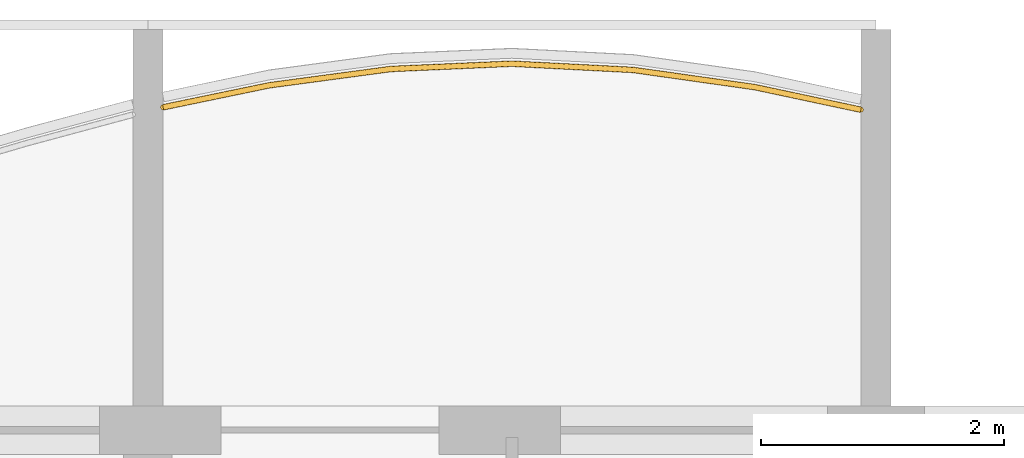
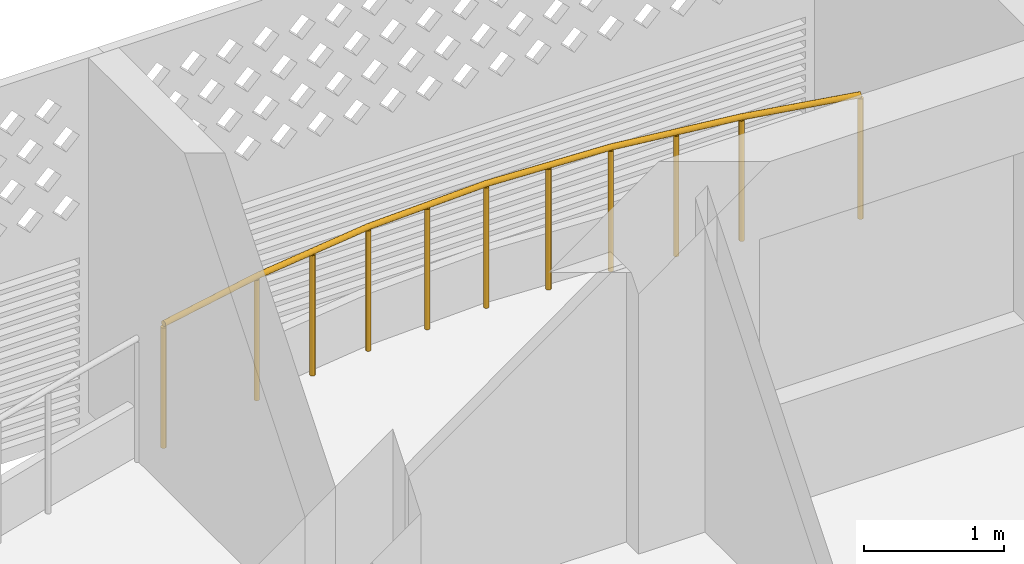
# One storey, part 27 of 39: 1 railing.
"""IFC4 building model written with IfcOpenShell, lengths in metres."""

import ifcopenshell
import ifcopenshell.guid

model = None  # the IFC model being written
_history = None  # IfcOwnerHistory: only IFC2X3 demands one
_inside = {}  # id of a spatial element -> (the spatial element, [elements in it])
_under = {}  # id of a project, library or spatial element -> (it, [spatial elements below it])
_declared = {}  # id of a project -> (the project, [libraries it declares])
_typed = {}  # id of a type object -> (the type object, [elements of that type])
_made_of = {}  # id of a material, layer set ... -> (it, [elements and type objects made of it])


def new_model(schema):
    """Start an empty IFC model of exactly this schema.

    Asked for "IFC4X3", IfcOpenShell would pick the latest addendum, in which some entities
    have other attributes; the version numbers below select the first issue.
    IFC2X3 requires an IfcOwnerHistory on every rooted entity: one is made here for all.
    """
    global model, _history
    if schema == "IFC4X3":
        model = ifcopenshell.file(schema_version=(4, 3, 0, 0))
    else:
        model = ifcopenshell.file(schema=schema)
    _inside.clear()
    _under.clear()
    _declared.clear()
    _typed.clear()
    _made_of.clear()
    _history = None
    if model.schema == "IFC2X3":
        org = make("IfcOrganization", Name="unknown")
        user = make(
            "IfcPersonAndOrganization",
            ThePerson=make("IfcPerson", FamilyName="unknown"),
            TheOrganization=org,
        )
        app = make(
            "IfcApplication",
            ApplicationDeveloper=org,
            Version="unknown",
            ApplicationFullName="unknown",
            ApplicationIdentifier="unknown",
        )
        _history = make(
            "IfcOwnerHistory",
            OwningUser=user,
            OwningApplication=app,
            ChangeAction="ADDED",
            CreationDate=0,
        )
    return model


def make(cls, **values):
    """One entity of the class cls with the attributes given. An attribute that is None is left unset."""
    return model.create_entity(
        cls, **{name: value for name, value in values.items() if value is not None}
    )


def rooted(cls, **values):
    """An entity with a GlobalId (a new one), such as an element, a storey or a relation."""
    return make(cls, GlobalId=ifcopenshell.guid.new(), OwnerHistory=_history, **values)


def si_unit(unit_type, name, prefix=None):
    """IfcSIUnit, for example si_unit("LENGTHUNIT", "METRE", prefix="MILLI")."""
    return make("IfcSIUnit", UnitType=unit_type, Prefix=prefix, Name=name)


def assignment(units):
    """IfcUnitAssignment: the units of a project."""
    return None if units is None else make("IfcUnitAssignment", Units=units)


def point(xyz):
    """IfcCartesianPoint."""
    return None if xyz is None else make("IfcCartesianPoint", Coordinates=xyz)


def direction(xyz):
    """IfcDirection."""
    return None if xyz is None else make("IfcDirection", DirectionRatios=xyz)


def frame(location, z_axis=None, x_axis=None):
    """IfcAxis2Placement3D, a coordinate frame: its origin and axes. An axis left out is left unset."""
    return make(
        "IfcAxis2Placement3D",
        Location=point(location),
        Axis=direction(z_axis),
        RefDirection=direction(x_axis),
    )


def frame_2d(location, x_axis=None):
    """IfcAxis2Placement2D, a coordinate frame in the plane: its origin and x axis."""
    return make(
        "IfcAxis2Placement2D", Location=point(location), RefDirection=direction(x_axis)
    )


def origin():
    """The frame at (0, 0, 0) with its axes left unset."""
    return frame((0.0, 0.0, 0.0))


def origin_2d():
    """The frame at (0, 0) in the plane with its x axis left unset."""
    return frame_2d((0.0, 0.0))


def place(relative_to, where):
    """IfcLocalPlacement: puts the frame where relative to a parent placement (None: the world)."""
    return make(
        "IfcLocalPlacement", PlacementRelTo=relative_to, RelativePlacement=where
    )


def context(
    kind, dimensions, precision=None, world=None, true_north=None, identifier=None
):
    """IfcGeometricRepresentationContext, for example the 3D "Model" context."""
    return make(
        "IfcGeometricRepresentationContext",
        ContextIdentifier=identifier,
        ContextType=kind,
        CoordinateSpaceDimension=dimensions,
        Precision=precision,
        WorldCoordinateSystem=world,
        TrueNorth=true_north,
    )


def subcontext(parent, identifier, kind, view, scale=None):
    """IfcGeometricRepresentationSubContext, for example "Body" below "Model"."""
    return make(
        "IfcGeometricRepresentationSubContext",
        ContextIdentifier=identifier,
        ContextType=kind,
        ParentContext=parent,
        TargetScale=scale,
        TargetView=view,
    )


def project(units=None, contexts=None):
    """IfcProject with its units and contexts."""
    return rooted(
        "IfcProject",
        Name="project",
        RepresentationContexts=contexts,
        UnitsInContext=assignment(units),
    )


def spatial(cls, under=None, at=None, **own):
    """A site, building, storey or space (cls), placed at a placement, below another one or the project."""
    s = rooted(cls, ObjectPlacement=at, **own)
    if under is not None:
        _under.setdefault(under.id(), (under, []))[1].append(s)
    return s


def profile(cls, at=None, kind="AREA", **sizes):
    """A parametric profile (cls). Its sizes go by their IFC names, for example OverallWidth=200.0."""
    return make(cls, ProfileType=kind, Position=at, **sizes)


def circle(**sizes):
    """IfcCircleProfileDef."""
    return profile("IfcCircleProfileDef", **sizes)


def extrude(swept, where, along, depth):
    """IfcExtrudedAreaSolid: the profile swept, set in the frame where, extruded along a direction by depth."""
    return make(
        "IfcExtrudedAreaSolid",
        SweptArea=swept,
        Position=where,
        ExtrudedDirection=direction(along),
        Depth=depth,
    )


def shape(context_of_items, identifier, shape_type, items):
    """IfcShapeRepresentation: the items that make up one representation, for example the "Body"."""
    return make(
        "IfcShapeRepresentation",
        ContextOfItems=context_of_items,
        RepresentationIdentifier=identifier,
        RepresentationType=shape_type,
        Items=items,
    )


def material(Name=None, Category=None):
    """IfcMaterial."""
    return make("IfcMaterial", Name=Name, Category=Category)


def made_of(thing, what):
    """Note that an element or type object is made of a material, layer set ...; save() writes the relation."""
    if what is not None:
        _made_of.setdefault(what.id(), (what, []))[1].append(thing)
    return thing


def type_object(cls, material=None, **own):
    """A type object (cls), such as IfcWallType, which elements share."""
    return made_of(rooted(cls, **own), material)


def element(
    cls,
    number,
    at=None,
    inside=None,
    cuts=None,
    type_object=None,
    material=None,
    context=None,
    identifier="Body",
    shape_type=None,
    held_by="IfcProductDefinitionShape",
    body=None,
    shapes=None,
    **own,
):
    """One element of the class cls, such as IfcWall. Its Tag is "e" and its number.

    at: its placement. inside: the storey or other place that contains it. cuts: it is an
    opening in that element (IfcRelVoidsElement). A single representation is given by context,
    identifier, shape_type and body (its items); several are given by shapes. held_by: the class
    of the entity that holds the representations. save() writes the other relations.
    """
    e = rooted(cls, Tag="e%d" % number, ObjectPlacement=at, **own)
    if body is not None:
        shapes = [shape(context, identifier, shape_type, body)]
    if shapes is not None:
        e.Representation = make(held_by, Representations=shapes)
    if inside is not None:
        _inside.setdefault(inside.id(), (inside, []))[1].append(e)
    if cuts is not None:
        rooted(
            "IfcRelVoidsElement", RelatingBuildingElement=cuts, RelatedOpeningElement=e
        )
    if type_object is not None:
        _typed.setdefault(type_object.id(), (type_object, []))[1].append(e)
    return made_of(e, material)


def aggregate(whole, parts):
    """IfcRelAggregates: a whole, such as a stair, and the parts it consists of."""
    return rooted("IfcRelAggregates", RelatingObject=whole, RelatedObjects=parts)


def save(model, path):
    """Write the relations noted so far, then the file.

    IfcRelAggregates (storeys below a building ...), IfcRelContainedInSpatialStructure (elements
    in a storey), IfcRelDefinesByType, IfcRelAssociatesMaterial and IfcRelDeclares: one each for
    every whole, place, type object, material and project.
    """
    for whole, parts in _under.values():
        aggregate(whole, parts)
    for where, things in _inside.values():
        rooted(
            "IfcRelContainedInSpatialStructure",
            RelatedElements=things,
            RelatingStructure=where,
        )
    for kind, things in _typed.values():
        rooted("IfcRelDefinesByType", RelatedObjects=things, RelatingType=kind)
    for what, things in _made_of.values():
        rooted("IfcRelAssociatesMaterial", RelatedObjects=things, RelatingMaterial=what)
    for by, libraries in _declared.values():
        rooted("IfcRelDeclares", RelatingContext=by, RelatedDefinitions=libraries)
    model.write(path)


model = new_model("IFC4")

# Units and contexts
model_context = context("Model", 3, precision=1e-05, world=origin(), true_north=direction((0.0, 1.0)))
body_context = subcontext(model_context, "Body", "Model", "MODEL_VIEW")
ifc_project = project(units=[si_unit("LENGTHUNIT", "METRE"), si_unit("AREAUNIT", "SQUARE_METRE"), si_unit("VOLUMEUNIT", "CUBIC_METRE"), si_unit("PLANEANGLEUNIT", "RADIAN"), si_unit("MASSUNIT", "GRAM", prefix="KILO")], contexts=[model_context])

# Site, building, storey
site_placement = place(None, origin())
site = spatial("IfcSite", under=ifc_project, at=site_placement, CompositionType="ELEMENT")
building_placement = place(site_placement, origin())
building = spatial("IfcBuilding", under=site, at=building_placement, Name="Poui Terraces", CompositionType="ELEMENT")
storey_placement = place(building_placement, frame((0.0, 0.0, 56.39990234375)))
storey = spatial("IfcBuildingStorey", under=building, at=storey_placement, Name="L15", CompositionType="ELEMENT", Elevation=56.39990234375)

# Railing
ifc_material = material(Name="Painted steel fretwork", Category="steel")
railing_type = type_object("IfcRailingType", Name="BALCONY GUARD 1100", PredefinedType="GUARDRAIL", material=ifc_material)
railing_placement = place(storey_placement, frame((42.125, 47.460693359375, 0.0)))
element("IfcRailing", 1, at=railing_placement, inside=storey, type_object=railing_type, Name="BALCONY GUARD", PredefinedType="GUARDRAIL", context=body_context, shape_type="SweptSolid", body=[
    extrude(circle(Radius=0.02392578125, at=origin_2d()), frame((0.0, 0.0, 1.076171875), z_axis=(0.979234241666, 0.202732089095, 0.0), x_axis=(-0.202732089095, 0.979234241666, 0.0)), (0.0, 0.0, 1.0), 0.8935546875),
    extrude(circle(Radius=0.02392578125, at=origin_2d()), frame((0.875, 0.18115234375, 1.076171875), z_axis=(0.991104904979, 0.133082934018, 0.0), x_axis=(-0.133082934018, 0.991104904979, 0.0)), (0.0, 0.0, 1.0), 1.009033203125),
    extrude(circle(Radius=0.02392578125, at=origin_2d()), frame((1.875, 0.3154296875, 1.076171875), z_axis=(0.999046469355, 0.043659501468, 0.0), x_axis=(-0.043659501468, 0.999046469355, 0.0)), (0.0, 0.0, 1.0), 1.0009765625),
    extrude(circle(Radius=0.02392578125, at=origin_2d()), frame((2.875, 0.359130859375, 1.076171875), z_axis=(0.998675805692, -0.051445457764, 0.0), x_axis=(0.051445457764, 0.998675805692, 0.0)), (0.0, 0.0, 1.0), 1.001220703125),
    extrude(circle(Radius=0.02392578125, at=origin_2d()), frame((3.875, 0.3076171875, 1.076171875), z_axis=(0.99015631817, -0.13996594439, 0.0), x_axis=(0.13996594439, 0.99015631817, 0.0)), (0.0, 0.0, 1.0), 1.010009765625),
    extrude(circle(Radius=0.02392578125, at=origin_2d()), frame((4.875, 0.166259765625, 1.076171875), z_axis=(0.978081102003, -0.208224297106, 0.0), x_axis=(0.208224297106, 0.978081102003, 0.0)), (0.0, 0.0, 1.0), 0.89453125),
    extrude(circle(Radius=0.02099609375, at=origin_2d()), origin(), (0.0, 0.0, 1.0), 1.052001953125),
    extrude(circle(Radius=0.02099609375, at=origin_2d()), frame((0.875, 0.18115234375, 0.0)), (0.0, 0.0, 1.0), 1.052001953125),
    extrude(circle(Radius=0.02099609375, at=origin_2d()), frame((1.375, 0.248291015625, 0.0)), (0.0, 0.0, 1.0), 1.052001953125),
    extrude(circle(Radius=0.02099609375, at=origin_2d()), frame((1.875, 0.3154296875, 0.0)), (0.0, 0.0, 1.0), 1.052001953125),
    extrude(circle(Radius=0.02099609375, at=origin_2d()), frame((2.375, 0.33740234375, 0.0)), (0.0, 0.0, 1.0), 1.052001953125),
    extrude(circle(Radius=0.02099609375, at=origin_2d()), frame((2.875, 0.359130859375, 0.0)), (0.0, 0.0, 1.0), 1.052001953125),
    extrude(circle(Radius=0.02099609375, at=origin_2d()), frame((3.375, 0.33349609375, 0.0)), (0.0, 0.0, 1.0), 1.052001953125),
    extrude(circle(Radius=0.02099609375, at=origin_2d()), frame((3.875, 0.3076171875, 0.0)), (0.0, 0.0, 1.0), 1.052001953125),
    extrude(circle(Radius=0.02099609375, at=origin_2d()), frame((4.375, 0.23681640625, 0.0)), (0.0, 0.0, 1.0), 1.052001953125),
    extrude(circle(Radius=0.02099609375, at=origin_2d()), frame((4.875, 0.166259765625, 0.0)), (0.0, 0.0, 1.0), 1.052001953125),
    extrude(circle(Radius=0.02099609375, at=origin_2d()), frame((5.75, -0.02001953125, 0.0)), (0.0, 0.0, 1.0), 1.052001953125),
])

save(model, "model.ifc")
